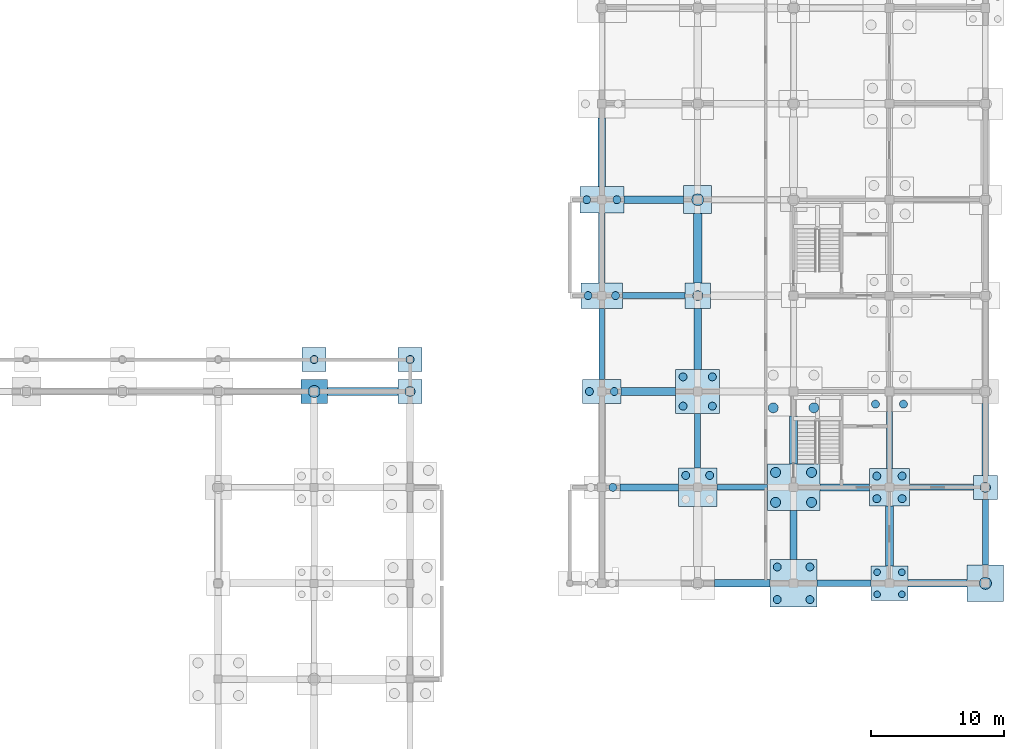
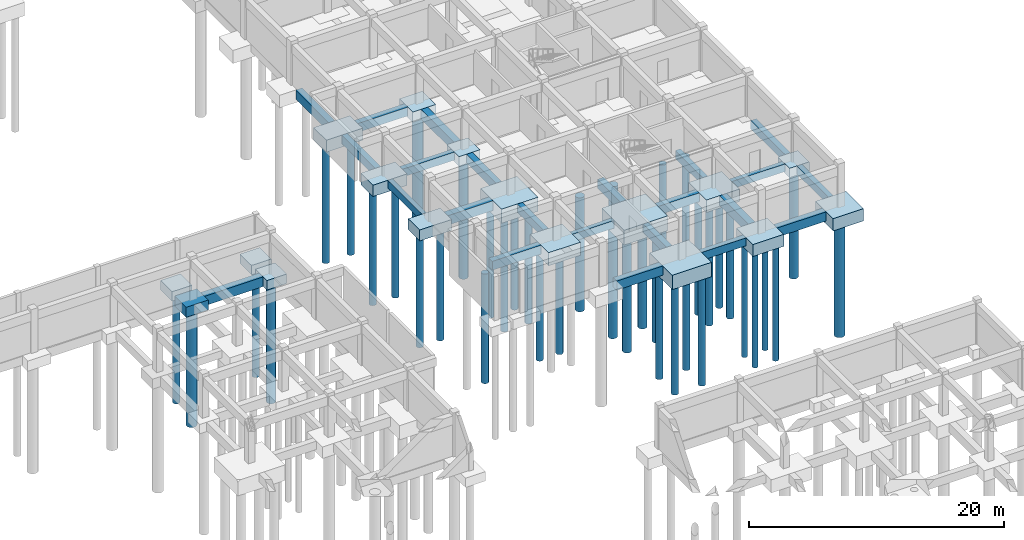
# One storey, part 11 of 38: 41 piles, 40 footings.
"""IFC4 building model written with IfcOpenShell, lengths in metres."""

from ifc_helpers import new_model, si_unit, direction, frame, origin, origin_2d, place, context, subcontext, project, spatial, polyline, rectangle, circle, outline, extrude, material, material_profile, profile_set, type_object, element, save


model = new_model("IFC4")

# Units and contexts
model_context = context("Model", 3, precision=1e-05, world=origin(), true_north=direction((0.0, 1.0)))
body_context = subcontext(model_context, "Body", "Model", "MODEL_VIEW")
ifc_project = project(units=[si_unit("LENGTHUNIT", "METRE"), si_unit("AREAUNIT", "SQUARE_METRE"), si_unit("VOLUMEUNIT", "CUBIC_METRE"), si_unit("PLANEANGLEUNIT", "RADIAN"), si_unit("MASSUNIT", "GRAM", prefix="KILO"), si_unit("THERMODYNAMICTEMPERATUREUNIT", "KELVIN"), si_unit("POWERUNIT", "WATT")], contexts=[model_context])

# Site, building, storey
site_placement = place(None, origin())
site = spatial("IfcSite", under=ifc_project, at=site_placement, CompositionType="ELEMENT")
building_placement = place(site_placement, origin())
building = spatial("IfcBuilding", under=site, at=building_placement, Name="Tavuni Mirador Residences", CompositionType="ELEMENT")
storey_placement = place(building_placement, frame((0.0, 0.0, -4.199951171875)))
storey = spatial("IfcBuildingStorey", under=building, at=storey_placement, Name="B1", CompositionType="ELEMENT", Elevation=-4.199951171875)

# Footings
ifc_material = material(Name="In-situ concrete C35/45", Category="concrete")
footing_type_1 = type_object("IfcFootingType", Name="FT-GB01", PredefinedType="FOOTING_BEAM", material=ifc_material)
footing_1_placement = place(storey_placement, frame((0.0, 0.0, -0.719970703125)))
element("IfcFooting", 1, at=footing_1_placement, inside=storey, type_object=footing_type_1, Name="GBY-BLK-D-00-02", PredefinedType="FOOTING_BEAM", context=body_context, shape_type="SweptSolid", body=[
    extrude(outline(polyline([(89.7900390625, 101.699951171875), (90.2099609375, 101.699951171875), (90.2099609375, 107.050048828125), (89.7900390625, 107.050048828125), (89.7900390625, 101.699951171875)])), origin(), (0.0, 0.0, 1.0), 0.719970703125),
])
footing_2_placement = place(storey_placement, frame((0.0, 0.0, -0.719970703125)))
element("IfcFooting", 2, at=footing_2_placement, inside=storey, type_object=footing_type_1, Name="GBX-BLK-D-01-01", PredefinedType="FOOTING_BEAM", context=body_context, shape_type="SweptSolid", body=[
    extrude(outline(polyline([(98.64990234375, 93.389892578125), (102.425048828125, 93.389892578125), (102.425048828125, 93.81005859375), (98.64990234375, 93.81005859375), (98.64990234375, 93.389892578125)])), origin(), (0.0, 0.0, 1.0), 0.719970703125),
])
footing_3_placement = place(storey_placement, frame((0.0, 0.0, -0.719970703125)))
element("IfcFooting", 3, at=footing_3_placement, inside=storey, type_object=footing_type_1, Name="GBX-BLK-D-03-01", PredefinedType="FOOTING_BEAM", context=body_context, shape_type="SweptSolid", body=[
    extrude(outline(polyline([(113.10009765625, 93.389892578125), (117.89990234375, 93.389892578125), (117.89990234375, 93.81005859375), (113.10009765625, 93.81005859375), (113.10009765625, 93.389892578125)])), origin(), (0.0, 0.0, 1.0), 0.719970703125),
])
footing_type_2 = type_object("IfcFootingType", Name="FT-GB02", PredefinedType="FOOTING_BEAM", material=ifc_material)
footing_4_placement = place(storey_placement, frame((0.0, 0.0, -0.760009765625)))
element("IfcFooting", 4, at=footing_4_placement, inside=storey, type_object=footing_type_2, Name="GBX-BLK-D-00-03", PredefinedType="FOOTING_BEAM", context=body_context, shape_type="SweptSolid", body=[
    extrude(outline(polyline([(91.550048828125, 107.77001953125), (96.25, 107.77001953125), (96.25, 108.22998046875), (91.550048828125, 108.22998046875), (91.550048828125, 107.77001953125)])), origin(), (0.0, 0.0, 1.0), 0.760009765625),
])
footing_5_placement = place(storey_placement, frame((0.0, 0.0, -0.760009765625)))
element("IfcFooting", 5, at=footing_5_placement, inside=storey, type_object=footing_type_2, Name="GBY-BLK-D-01-01", PredefinedType="FOOTING_BEAM", context=body_context, shape_type="SweptSolid", body=[
    extrude(outline(polyline([(96.969970703125, 95.050048828125), (97.429931640625, 95.050048828125), (97.429931640625, 99.14990234375), (96.969970703125, 99.14990234375), (96.969970703125, 95.050048828125)])), origin(), (0.0, 0.0, 1.0), 0.760009765625),
])
footing_6_placement = place(storey_placement, frame((0.0, 0.0, -0.760009765625)))
element("IfcFooting", 6, at=footing_6_placement, inside=storey, type_object=footing_type_2, Name="GBX-BLK-D-02-00", PredefinedType="FOOTING_BEAM", context=body_context, shape_type="SweptSolid", body=[
    extrude(outline(polyline([(106.175048828125, 86.169921875), (110.199951171875, 86.169921875), (110.199951171875, 86.6298828125), (106.175048828125, 86.6298828125), (106.175048828125, 86.169921875)])), origin(), (0.0, 0.0, 1.0), 0.760009765625),
])
footing_7_placement = place(storey_placement, frame((0.0, 0.0, -0.760009765625)))
element("IfcFooting", 7, at=footing_7_placement, inside=storey, type_object=footing_type_2, Name="GBY-BLK-D-03-01", PredefinedType="FOOTING_BEAM", context=body_context, shape_type="SweptSolid", body=[
    extrude(outline(polyline([(111.3701171875, 95.0), (111.830078125, 95.0), (111.830078125, 99.300048828125), (111.3701171875, 99.300048828125), (111.3701171875, 95.0)])), origin(), (0.0, 0.0, 1.0), 0.760009765625),
])
footing_8_placement = place(storey_placement, frame((0.0, 0.0, -0.760009765625)))
element("IfcFooting", 8, at=footing_8_placement, inside=storey, type_object=footing_type_2, Name="GBY-BLK-D-04-00", PredefinedType="FOOTING_BEAM", context=body_context, shape_type="SweptSolid", body=[
    extrude(outline(polyline([(118.570068359375, 87.77490234375), (119.030029296875, 87.77490234375), (119.030029296875, 92.699951171875), (118.570068359375, 92.699951171875), (118.570068359375, 87.77490234375)])), origin(), (0.0, 0.0, 1.0), 0.760009765625),
])
footing_type_3 = type_object("IfcFootingType", Name="FT-GB03", PredefinedType="FOOTING_BEAM", material=ifc_material)
footing_9_placement = place(storey_placement, frame((0.0, 0.0, -0.800048828125)))
element("IfcFooting", 9, at=footing_9_placement, inside=storey, type_object=footing_type_3, Name="GBY-BLK-D-00-03", PredefinedType="FOOTING_BEAM", context=body_context, shape_type="SweptSolid", body=[
    extrude(outline(polyline([(89.75, 108.949951171875), (90.25, 108.949951171875), (90.25, 114.199951171875), (89.75, 114.199951171875), (89.75, 108.949951171875)])), origin(), (0.0, 0.0, 1.0), 0.800048828125),
])
footing_10_placement = place(storey_placement, frame((0.0, 0.0, -0.800048828125)))
element("IfcFooting", 10, at=footing_10_placement, inside=storey, type_object=footing_type_3, Name="GBY-BLK-D-02-00", PredefinedType="FOOTING_BEAM", context=body_context, shape_type="SweptSolid", body=[
    extrude(outline(polyline([(104.14990234375, 88.175048828125), (104.64990234375, 88.175048828125), (104.64990234375, 91.85009765625), (104.14990234375, 91.85009765625), (104.14990234375, 88.175048828125)])), origin(), (0.0, 0.0, 1.0), 0.800048828125),
])
footing_11_placement = place(storey_placement, frame((0.0, 0.0, -0.800048828125)))
element("IfcFooting", 11, at=footing_11_placement, inside=storey, type_object=footing_type_3, Name="GBY-BLK-D-04-01", PredefinedType="FOOTING_BEAM", context=body_context, shape_type="SweptSolid", body=[
    extrude(outline(polyline([(118.550048828125, 94.5), (119.050048828125, 94.5), (119.050048828125, 99.89990234375), (118.550048828125, 99.89990234375), (118.550048828125, 94.5)])), origin(), (0.0, 0.0, 1.0), 0.800048828125),
])
footing_type_4 = type_object("IfcFootingType", Name="FT-GB04", PredefinedType="FOOTING_BEAM", material=ifc_material)
footing_12_placement = place(storey_placement, frame((0.0, 0.0, -0.840087890625)))
element("IfcFooting", 12, at=footing_12_placement, inside=storey, type_object=footing_type_4, Name="GBX-BLK-D-00-01", PredefinedType="FOOTING_BEAM", context=body_context, shape_type="SweptSolid", body=[
    extrude(outline(polyline([(91.35009765625, 93.330078125), (95.75, 93.330078125), (95.75, 93.8701171875), (91.35009765625, 93.8701171875), (91.35009765625, 93.330078125)])), origin(), (0.0, 0.0, 1.0), 0.840087890625),
])
footing_13_placement = place(storey_placement, frame((0.0, 0.0, -0.840087890625)))
element("IfcFooting", 13, at=footing_13_placement, inside=storey, type_object=footing_type_4, Name="GBX-BLK-D-00-04", PredefinedType="FOOTING_BEAM", context=body_context, shape_type="SweptSolid", body=[
    extrude(outline(polyline([(91.64990234375, 114.929931640625), (96.14990234375, 114.929931640625), (96.14990234375, 115.469970703125), (91.64990234375, 115.469970703125), (91.64990234375, 114.929931640625)])), origin(), (0.0, 0.0, 1.0), 0.840087890625),
])
footing_14_placement = place(storey_placement, frame((0.0, 0.0, -0.840087890625)))
element("IfcFooting", 14, at=footing_14_placement, inside=storey, type_object=footing_type_4, Name="GBY-BLK-D-01-02", PredefinedType="FOOTING_BEAM", context=body_context, shape_type="SweptSolid", body=[
    extrude(outline(polyline([(96.929931640625, 102.449951171875), (97.469970703125, 102.449951171875), (97.469970703125, 107.050048828125), (96.929931640625, 107.050048828125), (96.929931640625, 102.449951171875)])), origin(), (0.0, 0.0, 1.0), 0.840087890625),
])
footing_15_placement = place(storey_placement, frame((0.0, 0.0, -0.840087890625)))
element("IfcFooting", 15, at=footing_15_placement, inside=storey, type_object=footing_type_4, Name="GBX-BLK-D-02-01", PredefinedType="FOOTING_BEAM", context=body_context, shape_type="SweptSolid", body=[
    extrude(outline(polyline([(106.375, 93.330078125), (110.10009765625, 93.330078125), (110.10009765625, 93.8701171875), (106.375, 93.8701171875), (106.375, 93.330078125)])), origin(), (0.0, 0.0, 1.0), 0.840087890625),
])
footing_type_5 = type_object("IfcFootingType", Name="FT-GB05", PredefinedType="FOOTING_BEAM", material=ifc_material)
footing_16_placement = place(storey_placement, frame((0.0, 0.0, -0.880126953125)))
element("IfcFooting", 16, at=footing_16_placement, inside=storey, type_object=footing_type_5, Name="GBY-BLK-D-00-04", PredefinedType="FOOTING_BEAM", context=body_context, shape_type="SweptSolid", body=[
    extrude(outline(polyline([(89.7099609375, 116.199951171875), (90.2900390625, 116.199951171875), (90.2900390625, 121.35009765625), (89.7099609375, 121.35009765625), (89.7099609375, 116.199951171875)])), origin(), (0.0, 0.0, 1.0), 0.880126953125),
])
footing_17_placement = place(storey_placement, frame((0.0, 0.0, -0.880126953125)))
element("IfcFooting", 17, at=footing_17_placement, inside=storey, type_object=footing_type_5, Name="GBX-BLK-D-01-00", PredefinedType="FOOTING_BEAM", context=body_context, shape_type="SweptSolid", body=[
    extrude(outline(polyline([(98.449951171875, 86.110107421875), (102.625, 86.110107421875), (102.625, 86.68994140625), (98.449951171875, 86.68994140625), (98.449951171875, 86.110107421875)])), origin(), (0.0, 0.0, 1.0), 0.880126953125),
])
footing_18_placement = place(storey_placement, frame((0.0, 0.0, -0.880126953125)))
element("IfcFooting", 18, at=footing_18_placement, inside=storey, type_object=footing_type_5, Name="GBY-BLK-D-02-01", PredefinedType="FOOTING_BEAM", context=body_context, shape_type="SweptSolid", body=[
    extrude(outline(polyline([(104.110107421875, 95.35009765625), (104.68994140625, 95.35009765625), (104.68994140625, 98.949951171875), (104.110107421875, 98.949951171875), (104.110107421875, 95.35009765625)])), origin(), (0.0, 0.0, 1.0), 0.880126953125),
])
footing_19_placement = place(storey_placement, frame((0.0, 0.0, -0.880126953125)))
element("IfcFooting", 19, at=footing_19_placement, inside=storey, type_object=footing_type_5, Name="GBX-BLK-D-03-00", PredefinedType="FOOTING_BEAM", context=body_context, shape_type="SweptSolid", body=[
    extrude(outline(polyline([(113.0, 86.110107421875), (117.425048828125, 86.110107421875), (117.425048828125, 86.68994140625), (113.0, 86.68994140625), (113.0, 86.110107421875)])), origin(), (0.0, 0.0, 1.0), 0.880126953125),
])
footing_type_6 = type_object("IfcFootingType", Name="FT-GB06", PredefinedType="FOOTING_BEAM", material=ifc_material)
footing_20_placement = place(storey_placement, frame((0.0, 0.0, -0.920166015625)))
element("IfcFooting", 20, at=footing_20_placement, inside=storey, type_object=footing_type_6, Name="GBX-BLK-D-00-02", PredefinedType="FOOTING_BEAM", context=body_context, shape_type="SweptSolid", body=[
    extrude(outline(polyline([(91.449951171875, 100.489990234375), (95.550048828125, 100.489990234375), (95.550048828125, 101.110107421875), (91.449951171875, 101.110107421875), (91.449951171875, 100.489990234375)])), origin(), (0.0, 0.0, 1.0), 0.920166015625),
])
footing_21_placement = place(storey_placement, frame((0.0, 0.0, -0.920166015625)))
element("IfcFooting", 21, at=footing_21_placement, inside=storey, type_object=footing_type_6, Name="GBY-BLK-D-01-03", PredefinedType="FOOTING_BEAM", context=body_context, shape_type="SweptSolid", body=[
    extrude(outline(polyline([(96.889892578125, 108.949951171875), (97.510009765625, 108.949951171875), (97.510009765625, 114.14990234375), (96.889892578125, 114.14990234375), (96.889892578125, 108.949951171875)])), origin(), (0.0, 0.0, 1.0), 0.920166015625),
])
footing_22_placement = place(storey_placement, frame((0.0, 0.0, -0.920166015625)))
element("IfcFooting", 22, at=footing_22_placement, inside=storey, type_object=footing_type_6, Name="GBY-BLK-D-03-00", PredefinedType="FOOTING_BEAM", context=body_context, shape_type="SweptSolid", body=[
    extrude(outline(polyline([(111.2900390625, 87.699951171875), (111.909912109375, 87.699951171875), (111.909912109375, 92.199951171875), (111.2900390625, 92.199951171875), (111.2900390625, 87.699951171875)])), origin(), (0.0, 0.0, 1.0), 0.920166015625),
])
footing_23_placement = place(storey_placement, frame((0.0, 0.0, -0.920166015625)))
element("IfcFooting", 23, at=footing_23_placement, inside=storey, type_object=footing_type_6, Name="GBX-PAV-HALL-04-04", PredefinedType="FOOTING_BEAM", context=body_context, shape_type="SweptSolid", body=[
    extrude(outline(polyline([(69.39990234375, 100.489990234375), (74.699951171875, 100.489990234375), (74.699951171875, 101.110107421875), (69.39990234375, 101.110107421875), (69.39990234375, 100.489990234375)])), origin(), (0.0, 0.0, 1.0), 0.920166015625),
])
footing_type_7 = type_object("IfcFootingType", Name="FT-PC01", PredefinedType="PILE_CAP", material=ifc_material)
for number, where, z_axis, x_axis, name in (
    (24, (118.800048828125, 93.60009765625, -0.89990234375), (0.0, 0.0, 1.0), (1.0, 0.0, 0.0), "CAP-BLK-D-04-01"),
    (25, (75.60009765625, 100.800048828125, -0.89990234375), (0.0, 0.0, 1.0), (1.0, 0.0, 0.0), "CAP-PAV-HALL-05-04"),
    (26, (68.39990234375, 103.199951171875, -0.89990234375), (0.0, 0.0, 1.0), (1.0, 0.0, 0.0), "CAP-HALL-EAVE-N-04"),
    (27, (75.60009765625, 103.199951171875, -0.89990234375), (0.0, 0.0, 1.0), (1.0, 0.0, 0.0), "CAP-HALL-EAVE-N-05"),
):
    element("IfcFooting", number, at=place(storey_placement, frame(where, z_axis=z_axis, x_axis=x_axis)), inside=storey, type_object=footing_type_7, Name=name, PredefinedType="PILE_CAP", context=body_context, shape_type="SweptSolid", body=[
        extrude(rectangle(XDim=1.800048828125, YDim=1.800048828125, at=origin_2d()), origin(), (0.0, 0.0, 1.0), 0.89990234375),
    ])
footing_type_8 = type_object("IfcFootingType", Name="FT-PC02", PredefinedType="PILE_CAP", material=ifc_material)
footing_24_placement = place(storey_placement, frame((68.39990234375, 100.800048828125, -0.9501953125), z_axis=(0.0, 0.0, 1.0), x_axis=(1.0, 0.0, 0.0)))
element("IfcFooting", 28, at=footing_24_placement, inside=storey, type_object=footing_type_8, Name="CAP-PAV-HALL-04-04", PredefinedType="PILE_CAP", context=body_context, shape_type="SweptSolid", body=[
    extrude(rectangle(XDim=2.0, YDim=1.800048828125, at=origin_2d()), origin(), (0.0, 0.0, 1.0), 0.949951171875),
])
footing_type_9 = type_object("IfcFootingType", Name="FT-PC06", PredefinedType="PILE_CAP", material=ifc_material)
footing_25_placement = place(storey_placement, frame((111.60009765625, 86.39990234375, -1.14990234375), z_axis=(0.0, 0.0, 1.0), x_axis=(1.0, 0.0, 0.0)))
element("IfcFooting", 29, at=footing_25_placement, inside=storey, type_object=footing_type_9, Name="CAP-BLK-D-03-00", PredefinedType="PILE_CAP", context=body_context, shape_type="SweptSolid", body=[
    extrude(rectangle(XDim=2.800048828125, YDim=2.60009765625, at=origin_2d()), origin(), (0.0, 0.0, 1.0), 1.14990234375),
])
footing_type_10 = type_object("IfcFootingType", Name="FT-PC07", PredefinedType="PILE_CAP", material=ifc_material)
footing_26_placement = place(storey_placement, frame((111.60009765625, 93.60009765625, -1.2001953125), z_axis=(0.0, 0.0, 1.0), x_axis=(1.0, 0.0, 0.0)))
element("IfcFooting", 30, at=footing_26_placement, inside=storey, type_object=footing_type_10, Name="CAP-BLK-D-03-01", PredefinedType="PILE_CAP", context=body_context, shape_type="SweptSolid", body=[
    extrude(rectangle(XDim=3.0, YDim=2.800048828125, at=origin_2d()), origin(), (0.0, 0.0, 1.0), 1.199951171875),
])
footing_type_11 = type_object("IfcFootingType", Name="FT-PC16", PredefinedType="PILE_CAP", material=ifc_material)
footing_27_placement = place(storey_placement, frame((90.0, 100.800048828125, -1.05029296875), z_axis=(0.0, 0.0, 1.0), x_axis=(1.0, 0.0, 0.0)))
element("IfcFooting", 31, at=footing_27_placement, inside=storey, type_object=footing_type_11, Name="CAP-BLK-D-00-02", PredefinedType="PILE_CAP", context=body_context, shape_type="SweptSolid", body=[
    extrude(rectangle(XDim=2.89990234375, YDim=1.800048828125, at=origin_2d()), origin(), (0.0, 0.0, 1.0), 1.050048828125),
])
footing_type_12 = type_object("IfcFootingType", Name="FT-PC17", PredefinedType="PILE_CAP", material=ifc_material)
footing_28_placement = place(storey_placement, frame((90.0, 108.0, -1.10009765625), z_axis=(0.0, 0.0, 1.0), x_axis=(1.0, 0.0, 0.0)))
element("IfcFooting", 32, at=footing_28_placement, inside=storey, type_object=footing_type_12, Name="CAP-BLK-D-00-03", PredefinedType="PILE_CAP", context=body_context, shape_type="SweptSolid", body=[
    extrude(rectangle(XDim=3.10009765625, YDim=1.89990234375, at=origin_2d()), origin(), (0.0, 0.0, 1.0), 1.10009765625),
])
footing_type_13 = type_object("IfcFootingType", Name="FT-PC18", PredefinedType="PILE_CAP", material=ifc_material)
footing_29_placement = place(storey_placement, frame((90.0, 115.199951171875, -1.14990234375), z_axis=(0.0, 0.0, 1.0), x_axis=(1.0, 0.0, 0.0)))
element("IfcFooting", 33, at=footing_29_placement, inside=storey, type_object=footing_type_13, Name="CAP-BLK-D-00-04", PredefinedType="PILE_CAP", context=body_context, shape_type="SweptSolid", body=[
    extrude(rectangle(XDim=3.300048828125, YDim=2.0, at=origin_2d()), origin(), (0.0, 0.0, 1.0), 1.14990234375),
])
footing_type_14 = type_object("IfcFootingType", Name="FT-PC23", PredefinedType="PILE_CAP", material=ifc_material)
footing_30_placement = place(storey_placement, frame((97.199951171875, 93.60009765625, -1.25), z_axis=(0.0, 0.0, 1.0), x_axis=(1.0, 0.0, 0.0)))
element("IfcFooting", 34, at=footing_30_placement, inside=storey, type_object=footing_type_14, Name="CAP-BLK-D-01-01", PredefinedType="PILE_CAP", context=body_context, shape_type="SweptSolid", body=[
    extrude(rectangle(XDim=2.89990234375, YDim=2.89990234375, at=origin_2d()), origin(), (0.0, 0.0, 1.0), 1.25),
])
footing_type_15 = type_object("IfcFootingType", Name="FT-PC24", PredefinedType="PILE_CAP", material=ifc_material)
footing_31_placement = place(storey_placement, frame((97.199951171875, 100.800048828125, -1.35009765625), z_axis=(0.0, 0.0, 1.0), x_axis=(1.0, 0.0, 0.0)))
element("IfcFooting", 35, at=footing_31_placement, inside=storey, type_object=footing_type_15, Name="CAP-BLK-D-01-02", PredefinedType="PILE_CAP", context=body_context, shape_type="SweptSolid", body=[
    extrude(rectangle(XDim=3.300048828125, YDim=3.300048828125, at=origin_2d()), origin(), (0.0, 0.0, 1.0), 1.35009765625),
])
footing_type_16 = type_object("IfcFootingType", Name="FT-PC25", PredefinedType="PILE_CAP", material=ifc_material)
footing_32_placement = place(storey_placement, frame((97.199951171875, 108.0, -0.919921875), z_axis=(0.0, 0.0, 1.0), x_axis=(1.0, 0.0, 0.0)))
element("IfcFooting", 36, at=footing_32_placement, inside=storey, type_object=footing_type_16, Name="CAP-BLK-D-01-03", PredefinedType="PILE_CAP", context=body_context, shape_type="SweptSolid", body=[
    extrude(rectangle(XDim=1.89990234375, YDim=1.89990234375, at=origin_2d()), origin(), (0.0, 0.0, 1.0), 0.919921875),
])
footing_type_17 = type_object("IfcFootingType", Name="FT-PC26", PredefinedType="PILE_CAP", material=ifc_material)
footing_33_placement = place(storey_placement, frame((97.199951171875, 115.199951171875, -0.97998046875), z_axis=(0.0, 0.0, 1.0), x_axis=(1.0, 0.0, 0.0)))
element("IfcFooting", 37, at=footing_33_placement, inside=storey, type_object=footing_type_17, Name="CAP-BLK-D-01-04", PredefinedType="PILE_CAP", context=body_context, shape_type="SweptSolid", body=[
    extrude(rectangle(XDim=2.10009765625, YDim=2.10009765625, at=origin_2d()), origin(), (0.0, 0.0, 1.0), 0.97998046875),
])
footing_type_18 = type_object("IfcFootingType", Name="FT-PC28", PredefinedType="PILE_CAP", material=ifc_material)
footing_34_placement = place(storey_placement, frame((118.800048828125, 86.39990234375, -1.18017578125), z_axis=(0.0, 0.0, 1.0), x_axis=(1.0, 0.0, 0.0)))
element("IfcFooting", 38, at=footing_34_placement, inside=storey, type_object=footing_type_18, Name="CAP-BLK-D-04-00", PredefinedType="PILE_CAP", context=body_context, shape_type="SweptSolid", body=[
    extrude(rectangle(XDim=2.75, YDim=2.75, at=origin_2d()), origin(), (0.0, 0.0, 1.0), 1.179931640625),
])
footing_type_19 = type_object("IfcFootingType", Name="FT-PC30", PredefinedType="PILE_CAP", material=ifc_material)
footing_35_placement = place(storey_placement, frame((104.39990234375, 86.39990234375, -1.3798828125), z_axis=(0.0, 0.0, 1.0), x_axis=(1.0, 0.0, 0.0)))
element("IfcFooting", 39, at=footing_35_placement, inside=storey, type_object=footing_type_19, Name="CAP-BLK-D-02-00", PredefinedType="PILE_CAP", context=body_context, shape_type="SweptSolid", body=[
    extrude(rectangle(XDim=3.550048828125, YDim=3.550048828125, at=origin_2d()), origin(), (0.0, 0.0, 1.0), 1.3798828125),
])
footing_type_20 = type_object("IfcFootingType", Name="FT-PC31", PredefinedType="PILE_CAP", material=ifc_material)
footing_36_placement = place(storey_placement, frame((104.39990234375, 93.60009765625, -1.419921875), z_axis=(0.0, 0.0, 1.0), x_axis=(1.0, 0.0, 0.0)))
element("IfcFooting", 40, at=footing_36_placement, inside=storey, type_object=footing_type_20, Name="CAP-BLK-D-02-01", PredefinedType="PILE_CAP", context=body_context, shape_type="SweptSolid", body=[
    extrude(rectangle(XDim=3.949951171875, YDim=3.5, at=origin_2d()), origin(), (0.0, 0.0, 1.0), 1.419921875),
])

# Piles
ifc_material_profile_1 = material_profile(ifc_material, circle(Radius=0.25, at=origin_2d()), Name="PILE D500", Category="concrete")
ifc_profile_set_1 = profile_set([ifc_material_profile_1], Name="In-situ concrete C35/45")
pile_type_1 = type_object("IfcPileType", Name="PT-D500", PredefinedType="BORED", material=ifc_profile_set_1)
for number, where, z_axis, x_axis, name in (
    (41, (110.669921875, 85.570068359375, -1.150146484375), (0.0, 0.0, -1.0), (1.0, 0.0, 0.0), "PIL-BLK-D-03-00-1"),
    (42, (112.530029296875, 85.570068359375, -1.150146484375), (0.0, 0.0, -1.0), (1.0, 0.0, 0.0), "PIL-BLK-D-03-00-2"),
    (43, (110.669921875, 87.22998046875, -1.150146484375), (0.0, 0.0, -1.0), (1.0, 0.0, 0.0), "PIL-BLK-D-03-00-3"),
    (44, (112.530029296875, 87.22998046875, -1.150146484375), (0.0, 0.0, -1.0), (1.0, 0.0, 0.0), "PIL-BLK-D-03-00-4"),
):
    element("IfcPile", number, at=place(storey_placement, frame(where, z_axis=z_axis, x_axis=x_axis)), inside=storey, type_object=pile_type_1, Name=name, PredefinedType="BORED", context=body_context, shape_type="SweptSolid", body=[
        extrude(circle(Radius=0.25, at=origin_2d()), origin(), (0.0, 0.0, 1.0), 10.949951171875),
    ])
ifc_material_profile_2 = material_profile(ifc_material, circle(Radius=0.300048828125, at=origin_2d()), Name="PILE D600", Category="concrete")
ifc_profile_set_2 = profile_set([ifc_material_profile_2], Name="In-situ concrete C35/45")
pile_type_2 = type_object("IfcPileType", Name="PT-D600", PredefinedType="BORED", material=ifc_profile_set_2)
pile_1_placement = place(storey_placement, frame((90.830078125, 93.60009765625, -1.0), z_axis=(0.0, 0.0, -1.0), x_axis=(1.0, 0.0, 0.0)))
element("IfcPile", 45, at=pile_1_placement, inside=storey, type_object=pile_type_2, Name="PIL-BLK-D-00-01-2", PredefinedType="BORED", context=body_context, shape_type="SweptSolid", body=[
    extrude(circle(Radius=0.300048828125, at=origin_2d()), origin(), (0.0, 0.0, 1.0), 10.5),
])
for number, where, z_axis, x_axis, name in (
    (46, (89.070068359375, 100.800048828125, -1.050048828125), (0.0, 0.0, -1.0), (1.0, 0.0, 0.0), "PIL-BLK-D-00-02-1"),
    (47, (90.929931640625, 100.800048828125, -1.050048828125), (0.0, 0.0, -1.0), (1.0, 0.0, 0.0), "PIL-BLK-D-00-02-2"),
):
    element("IfcPile", number, at=place(storey_placement, frame(where, z_axis=z_axis, x_axis=x_axis)), inside=storey, type_object=pile_type_2, Name=name, PredefinedType="BORED", context=body_context, shape_type="SweptSolid", body=[
        extrude(circle(Radius=0.300048828125, at=origin_2d()), origin(), (0.0, 0.0, 1.0), 10.75),
    ])
for number, where, z_axis, x_axis, name in (
    (48, (88.969970703125, 108.0, -1.10009765625), (0.0, 0.0, -1.0), (1.0, 0.0, 0.0), "PIL-BLK-D-00-03-1"),
    (49, (91.030029296875, 108.0, -1.10009765625), (0.0, 0.0, -1.0), (1.0, 0.0, 0.0), "PIL-BLK-D-00-03-2"),
):
    element("IfcPile", number, at=place(storey_placement, frame(where, z_axis=z_axis, x_axis=x_axis)), inside=storey, type_object=pile_type_2, Name=name, PredefinedType="BORED", context=body_context, shape_type="SweptSolid", body=[
        extrude(circle(Radius=0.300048828125, at=origin_2d()), origin(), (0.0, 0.0, 1.0), 11.0),
    ])
for number, where, z_axis, x_axis, name in (
    (50, (88.8701171875, 115.199951171875, -1.150146484375), (0.0, 0.0, -1.0), (1.0, 0.0, 0.0), "PIL-BLK-D-00-04-1"),
    (51, (91.1298828125, 115.199951171875, -1.150146484375), (0.0, 0.0, -1.0), (1.0, 0.0, 0.0), "PIL-BLK-D-00-04-2"),
):
    element("IfcPile", number, at=place(storey_placement, frame(where, z_axis=z_axis, x_axis=x_axis)), inside=storey, type_object=pile_type_2, Name=name, PredefinedType="BORED", context=body_context, shape_type="SweptSolid", body=[
        extrude(circle(Radius=0.300048828125, at=origin_2d()), origin(), (0.0, 0.0, 1.0), 11.25),
    ])
for number, where, z_axis, x_axis, name in (
    (52, (96.300048828125, 94.5, -1.25), (0.0, 0.0, -1.0), (1.0, 0.0, 0.0), "PIL-BLK-D-01-01-3"),
    (53, (98.10009765625, 94.5, -1.25), (0.0, 0.0, -1.0), (1.0, 0.0, 0.0), "PIL-BLK-D-01-01-4"),
):
    element("IfcPile", number, at=place(storey_placement, frame(where, z_axis=z_axis, x_axis=x_axis)), inside=storey, type_object=pile_type_2, Name=name, PredefinedType="BORED", context=body_context, shape_type="SweptSolid", body=[
        extrude(circle(Radius=0.300048828125, at=origin_2d()), origin(), (0.0, 0.0, 1.0), 10.550048828125),
    ])
for number, where, z_axis, x_axis, name in (
    (54, (96.10009765625, 99.699951171875, -1.35009765625), (0.0, 0.0, -1.0), (1.0, 0.0, 0.0), "PIL-BLK-D-01-02-1"),
    (55, (98.300048828125, 99.699951171875, -1.35009765625), (0.0, 0.0, -1.0), (1.0, 0.0, 0.0), "PIL-BLK-D-01-02-2"),
    (56, (96.10009765625, 101.89990234375, -1.35009765625), (0.0, 0.0, -1.0), (1.0, 0.0, 0.0), "PIL-BLK-D-01-02-3"),
    (57, (98.300048828125, 101.89990234375, -1.35009765625), (0.0, 0.0, -1.0), (1.0, 0.0, 0.0), "PIL-BLK-D-01-02-4"),
):
    element("IfcPile", number, at=place(storey_placement, frame(where, z_axis=z_axis, x_axis=x_axis)), inside=storey, type_object=pile_type_2, Name=name, PredefinedType="BORED", context=body_context, shape_type="SweptSolid", body=[
        extrude(circle(Radius=0.300048828125, at=origin_2d()), origin(), (0.0, 0.0, 1.0), 10.75),
    ])
for number, where, z_axis, x_axis, name in (
    (58, (103.175048828125, 85.175048828125, -1.380126953125), (0.0, 0.0, -1.0), (1.0, 0.0, 0.0), "PIL-BLK-D-02-00-1"),
    (59, (105.625, 85.175048828125, -1.380126953125), (0.0, 0.0, -1.0), (1.0, 0.0, 0.0), "PIL-BLK-D-02-00-2"),
    (60, (103.175048828125, 87.625, -1.380126953125), (0.0, 0.0, -1.0), (1.0, 0.0, 0.0), "PIL-BLK-D-02-00-3"),
    (61, (105.625, 87.625, -1.380126953125), (0.0, 0.0, -1.0), (1.0, 0.0, 0.0), "PIL-BLK-D-02-00-4"),
):
    element("IfcPile", number, at=place(storey_placement, frame(where, z_axis=z_axis, x_axis=x_axis)), inside=storey, type_object=pile_type_2, Name=name, PredefinedType="BORED", context=body_context, shape_type="SweptSolid", body=[
        extrude(circle(Radius=0.300048828125, at=origin_2d()), origin(), (0.0, 0.0, 1.0), 10.419921875),
    ])
for number, where, z_axis, x_axis, name in (
    (62, (110.64990234375, 92.75, -1.199951171875), (0.0, 0.0, -1.0), (1.0, 0.0, 0.0), "PIL-BLK-D-03-01-1"),
    (63, (112.550048828125, 92.75, -1.199951171875), (0.0, 0.0, -1.0), (1.0, 0.0, 0.0), "PIL-BLK-D-03-01-2"),
    (64, (110.64990234375, 94.449951171875, -1.199951171875), (0.0, 0.0, -1.0), (1.0, 0.0, 0.0), "PIL-BLK-D-03-01-3"),
    (65, (112.550048828125, 94.449951171875, -1.199951171875), (0.0, 0.0, -1.0), (1.0, 0.0, 0.0), "PIL-BLK-D-03-01-4"),
):
    element("IfcPile", number, at=place(storey_placement, frame(where, z_axis=z_axis, x_axis=x_axis)), inside=storey, type_object=pile_type_2, Name=name, PredefinedType="BORED", context=body_context, shape_type="SweptSolid", body=[
        extrude(circle(Radius=0.300048828125, at=origin_2d()), origin(), (0.0, 0.0, 1.0), 11.199951171875),
    ])
for number, where, z_axis, x_axis, name in (
    (66, (110.550048828125, 99.85009765625, -1.25), (0.0, 0.0, -1.0), (1.0, 0.0, 0.0), "PIL-BLK-D-03-02-1"),
    (67, (112.64990234375, 99.85009765625, -1.25), (0.0, 0.0, -1.0), (1.0, 0.0, 0.0), "PIL-BLK-D-03-02-2"),
):
    element("IfcPile", number, at=place(storey_placement, frame(where, z_axis=z_axis, x_axis=x_axis)), inside=storey, type_object=pile_type_2, Name=name, PredefinedType="BORED", context=body_context, shape_type="SweptSolid", body=[
        extrude(circle(Radius=0.300048828125, at=origin_2d()), origin(), (0.0, 0.0, 1.0), 9.949951171875),
    ])
for number, where, z_axis, x_axis, name in (
    (68, (68.39990234375, 103.199951171875, -0.800048828125), (0.0, 0.0, -1.0), (1.0, 0.0, 0.0), "PIL-HALL-EAVE-N-04"),
    (69, (75.60009765625, 103.199951171875, -0.800048828125), (0.0, 0.0, -1.0), (1.0, 0.0, 0.0), "PIL-HALL-EAVE-N-05"),
):
    element("IfcPile", number, at=place(storey_placement, frame(where, z_axis=z_axis, x_axis=x_axis)), inside=storey, type_object=pile_type_2, Name=name, PredefinedType="BORED", context=body_context, shape_type="SweptSolid", body=[
        extrude(circle(Radius=0.300048828125, at=origin_2d()), origin(), (0.0, 0.0, 1.0), 10.60009765625),
    ])
ifc_material_profile_3 = material_profile(ifc_material, circle(Radius=0.375, at=origin_2d()), Name="PILE D750", Category="concrete")
ifc_profile_set_3 = profile_set([ifc_material_profile_3], Name="In-situ concrete C35/45")
pile_type_3 = type_object("IfcPileType", Name="PT-D750", PredefinedType="BORED", material=ifc_profile_set_3)
pile_2_placement = place(storey_placement, frame((97.199951171875, 108.0, -0.920166015625), z_axis=(0.0, 0.0, -1.0), x_axis=(1.0, 0.0, 0.0)))
element("IfcPile", 70, at=pile_2_placement, inside=storey, type_object=pile_type_3, Name="PIL-BLK-D-01-03-1", PredefinedType="BORED", context=body_context, shape_type="SweptSolid", body=[
    extrude(circle(Radius=0.375, at=origin_2d()), origin(), (0.0, 0.0, 1.0), 11.47998046875),
])
for number, where, z_axis, x_axis, name in (
    (71, (103.050048828125, 92.47509765625, -1.420166015625), (0.0, 0.0, -1.0), (1.0, 0.0, 0.0), "PIL-BLK-D-02-01-1"),
    (72, (105.75, 92.47509765625, -1.420166015625), (0.0, 0.0, -1.0), (1.0, 0.0, 0.0), "PIL-BLK-D-02-01-2"),
    (73, (103.050048828125, 94.72509765625, -1.420166015625), (0.0, 0.0, -1.0), (1.0, 0.0, 0.0), "PIL-BLK-D-02-01-3"),
    (74, (105.75, 94.72509765625, -1.420166015625), (0.0, 0.0, -1.0), (1.0, 0.0, 0.0), "PIL-BLK-D-02-01-4"),
):
    element("IfcPile", number, at=place(storey_placement, frame(where, z_axis=z_axis, x_axis=x_axis)), inside=storey, type_object=pile_type_3, Name=name, PredefinedType="BORED", context=body_context, shape_type="SweptSolid", body=[
        extrude(circle(Radius=0.375, at=origin_2d()), origin(), (0.0, 0.0, 1.0), 10.679931640625),
    ])
for number, where, z_axis, x_axis, name in (
    (75, (102.875, 99.574951171875, -1.47998046875), (0.0, 0.0, -1.0), (1.0, 0.0, 0.0), "PIL-BLK-D-02-02-1"),
    (76, (105.925048828125, 99.574951171875, -1.47998046875), (0.0, 0.0, -1.0), (1.0, 0.0, 0.0), "PIL-BLK-D-02-02-2"),
):
    element("IfcPile", number, at=place(storey_placement, frame(where, z_axis=z_axis, x_axis=x_axis)), inside=storey, type_object=pile_type_3, Name=name, PredefinedType="BORED", context=body_context, shape_type="SweptSolid", body=[
        extrude(circle(Radius=0.375, at=origin_2d()), origin(), (0.0, 0.0, 1.0), 10.919921875),
    ])
pile_3_placement = place(storey_placement, frame((118.800048828125, 93.60009765625, -0.900146484375), z_axis=(0.0, 0.0, -1.0), x_axis=(1.0, 0.0, 0.0)))
element("IfcPile", 77, at=pile_3_placement, inside=storey, type_object=pile_type_3, Name="PIL-BLK-D-04-01-1", PredefinedType="BORED", context=body_context, shape_type="SweptSolid", body=[
    extrude(circle(Radius=0.375, at=origin_2d()), origin(), (0.0, 0.0, 1.0), 10.300048828125),
])
pile_4_placement = place(storey_placement, frame((75.60009765625, 100.800048828125, -0.900146484375), z_axis=(0.0, 0.0, -1.0), x_axis=(1.0, 0.0, 0.0)))
element("IfcPile", 78, at=pile_4_placement, inside=storey, type_object=pile_type_3, Name="PIL-PAV-HALL-05-04-1", PredefinedType="BORED", context=body_context, shape_type="SweptSolid", body=[
    extrude(circle(Radius=0.375, at=origin_2d()), origin(), (0.0, 0.0, 1.0), 11.5),
])
ifc_material_profile_4 = material_profile(ifc_material, circle(Radius=0.449951171875, at=origin_2d()), Name="PILE D900", Category="concrete")
ifc_profile_set_4 = profile_set([ifc_material_profile_4], Name="In-situ concrete C35/45")
pile_type_4 = type_object("IfcPileType", Name="PT-D900", PredefinedType="BORED", material=ifc_profile_set_4)
pile_5_placement = place(storey_placement, frame((97.199951171875, 115.199951171875, -0.97998046875), z_axis=(0.0, 0.0, -1.0), x_axis=(1.0, 0.0, 0.0)))
element("IfcPile", 79, at=pile_5_placement, inside=storey, type_object=pile_type_4, Name="PIL-BLK-D-01-04-1", PredefinedType="BORED", context=body_context, shape_type="SweptSolid", body=[
    extrude(circle(Radius=0.449951171875, at=origin_2d()), origin(), (0.0, 0.0, 1.0), 10.219970703125),
])
pile_6_placement = place(storey_placement, frame((118.800048828125, 86.39990234375, -1.179931640625), z_axis=(0.0, 0.0, -1.0), x_axis=(1.0, 0.0, 0.0)))
element("IfcPile", 80, at=pile_6_placement, inside=storey, type_object=pile_type_4, Name="PIL-BLK-D-04-00-1", PredefinedType="BORED", context=body_context, shape_type="SweptSolid", body=[
    extrude(circle(Radius=0.449951171875, at=origin_2d()), origin(), (0.0, 0.0, 1.0), 11.219970703125),
])
pile_7_placement = place(storey_placement, frame((68.39990234375, 100.800048828125, -0.949951171875), z_axis=(0.0, 0.0, -1.0), x_axis=(1.0, 0.0, 0.0)))
element("IfcPile", 81, at=pile_7_placement, inside=storey, type_object=pile_type_4, Name="PIL-PAV-HALL-04-04-1", PredefinedType="BORED", context=body_context, shape_type="SweptSolid", body=[
    extrude(circle(Radius=0.449951171875, at=origin_2d()), origin(), (0.0, 0.0, 1.0), 11.14990234375),
])

save(model, "model.ifc")
